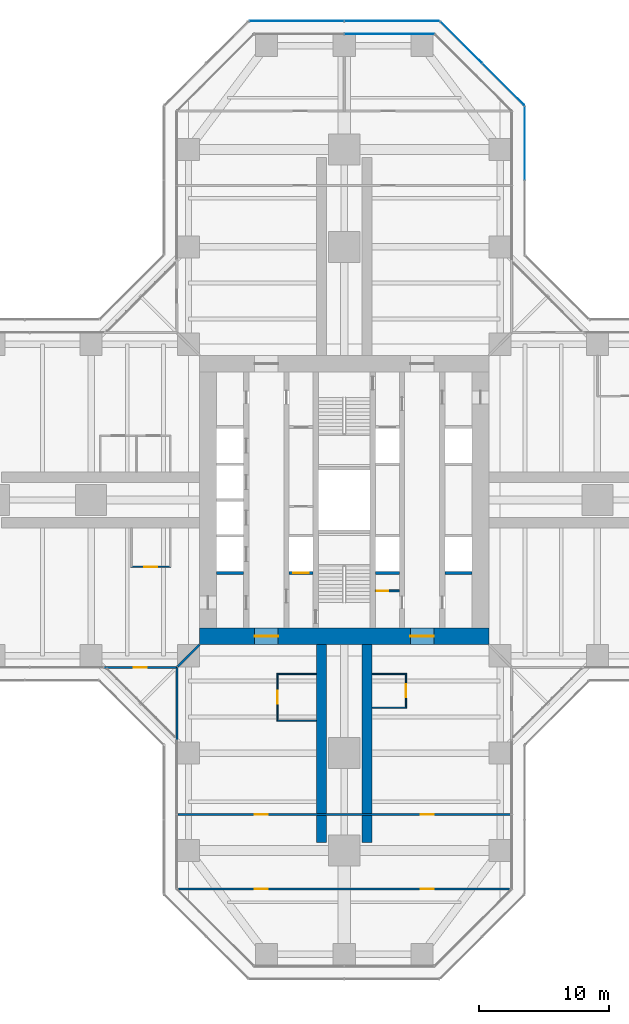
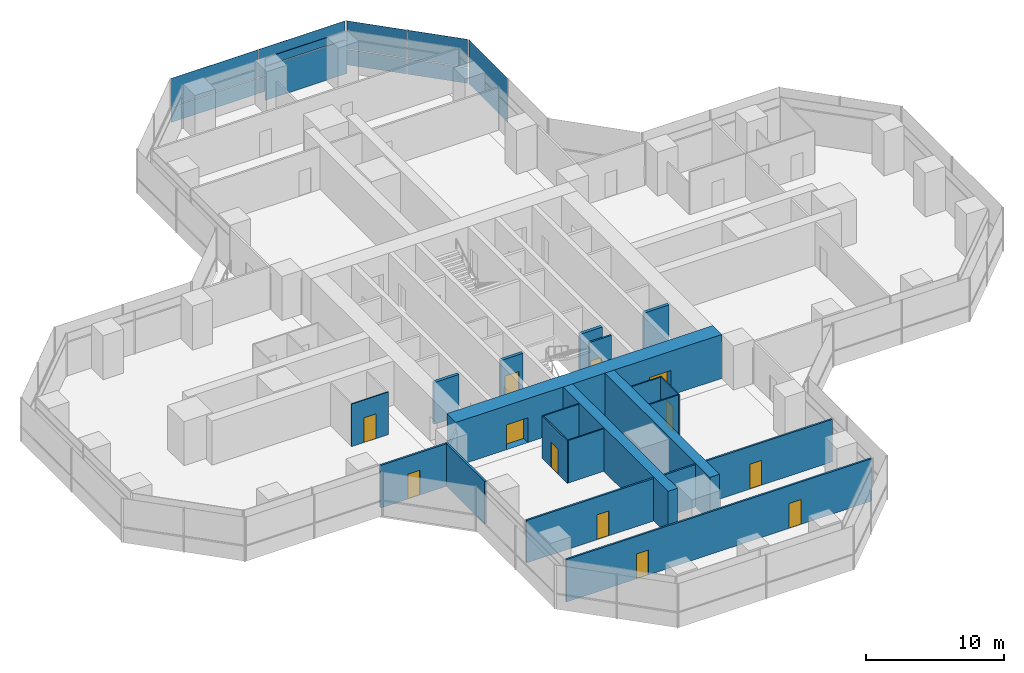
# One storey, part 17 of 22: 20 walls, 12 doors, 12 plates, 12 openings, 4 elements without a shape of their own.
"""IFC4 building model written with IfcOpenShell, lengths in metres."""

from ifc_helpers import new_model, si_unit, direction, frame, frame_2d, origin, origin_2d, place, context, subcontext, project, spatial, rectangle, extrude, material, layer, layer_set, type_object, element, fill, aggregate, save


model = new_model("IFC4")

# Units and contexts
model_context = context("Model", 3, precision=1e-05, world=origin(), true_north=direction((0.0, 1.0)))
body_context = subcontext(model_context, "Body", "Model", "MODEL_VIEW")
ifc_project = project(units=[si_unit("LENGTHUNIT", "METRE"), si_unit("AREAUNIT", "SQUARE_METRE"), si_unit("VOLUMEUNIT", "CUBIC_METRE"), si_unit("PLANEANGLEUNIT", "RADIAN"), si_unit("MASSUNIT", "GRAM", prefix="KILO")], contexts=[model_context])

# Site, building, storey
site_placement = place(None, origin())
site = spatial("IfcSite", under=ifc_project, at=site_placement, CompositionType="ELEMENT")
building_placement = place(site_placement, origin())
building = spatial("IfcBuilding", under=site, at=building_placement, Name="Mizan Broadcast Tower", CompositionType="ELEMENT")
storey_placement = place(building_placement, frame((0.0, 0.0, 94.199951171875)))
storey = spatial("IfcBuildingStorey", under=building, at=storey_placement, Name="L20", CompositionType="ELEMENT", Elevation=94.199951171875)

# Curtain wall, plates
ifc_material_1 = material(Name="Aluminium framed glazing", Category="aluminium")
curtain_wall_type_1 = type_object("IfcCurtainWallType", Name="INNER SKIN LOW ZONE", PredefinedType="USERDEFINED", material=ifc_material_1)
curtain_wall_1_placement = place(storey_placement, origin())
curtain_wall_1 = element("IfcCurtainWall", 1, at=curtain_wall_1_placement, inside=storey, type_object=curtain_wall_type_1, Name="Inner skin low zone L20 N end", ObjectType="INNER SKIN LOW ZONE", PredefinedType="USERDEFINED")
ifc_material_2 = material(Name="Double glazing, clear low-e", Category="glass")
ifc_layer_1 = layer(ifc_material_2, 0.028076171875)
ifc_layer_set_1 = layer_set([ifc_layer_1], Name="Double glazing, clear low-e")
plate_type_1 = type_object("IfcPlateType", Name="INNER SKIN GLAZING UNIT", PredefinedType="CURTAIN_PANEL", material=ifc_layer_set_1)
plate_1_placement = place(storey_placement, frame((3.46435546875, 35.89990234375, 0.0), z_axis=(0.0, 0.0, 1.0), x_axis=(-1.0, 0.0, 0.0)))
plate_1 = element("IfcPlate", 2, at=plate_1_placement, type_object=plate_type_1, Name="Inner skin low zone L20 N end panel 1.1", PredefinedType="CURTAIN_PANEL", context=body_context, shape_type="SweptSolid", body=[
    extrude(rectangle(XDim=6.86865234375, YDim=0.028076171875, at=origin_2d()), origin(), (0.0, 0.0, 1.0), 3.0),
])
ifc_material_3 = material(Name="Insulated aluminium spandrel panel, pale anodised", Category="aluminium")
ifc_layer_2 = layer(ifc_material_3, 0.050048828125)
ifc_layer_set_2 = layer_set([ifc_layer_2], Name="Insulated aluminium spandrel panel, pale anodised")
plate_type_2 = type_object("IfcPlateType", Name="INNER SKIN SPANDREL PANEL", PredefinedType="CURTAIN_PANEL", material=ifc_layer_set_2)
plate_2_placement = place(storey_placement, frame((3.46435546875, 35.89990234375, 3.06005859375), z_axis=(0.0, 0.0, 1.0), x_axis=(-1.0, 0.0, 0.0)))
plate_2 = element("IfcPlate", 3, at=plate_2_placement, type_object=plate_type_2, Name="Inner skin low zone L20 N end panel 1.2", PredefinedType="CURTAIN_PANEL", context=body_context, shape_type="SweptSolid", body=[
    extrude(rectangle(XDim=6.86865234375, YDim=0.050048828125, at=origin_2d()), origin(), (0.0, 0.0, 1.0), 0.7099609375),
])
aggregate(curtain_wall_1, [plate_1, plate_2])

ifc_material_4 = material(Name="Aluminium framed glazing", Category="aluminium")
curtain_wall_type_2 = type_object("IfcCurtainWallType", Name="OUTER SKIN", PredefinedType="USERDEFINED", material=ifc_material_4)
curtain_wall_2_placement = place(storey_placement, origin())
curtain_wall_2 = element("IfcCurtainWall", 4, at=curtain_wall_2_placement, inside=storey, type_object=curtain_wall_type_2, Name="Outer skin L20 N chamfer", ObjectType="OUTER SKIN", PredefinedType="USERDEFINED")
ifc_material_5 = material(Name="Laminated clear glass", Category="glass")
ifc_layer_3 = layer(ifc_material_5, 0.02001953125)
ifc_layer_set_3 = layer_set([ifc_layer_3], Name="Laminated clear glass")
plate_type_3 = type_object("IfcPlateType", Name="OUTER SKIN CLEAR GLASS", PredefinedType="CURTAIN_PANEL", material=ifc_layer_set_3)
plate_3_placement = place(storey_placement, frame((12.254150390625, 32.018798828125, 0.0), z_axis=(0.0, 0.0, 1.0), x_axis=(-0.707106781187, 0.707106781187, 0.0)))
plate_3 = element("IfcPlate", 5, at=plate_3_placement, type_object=plate_type_3, Name="Outer skin L20 N chamfer panel 1.1", PredefinedType="CURTAIN_PANEL", context=body_context, shape_type="SweptSolid", body=[
    extrude(rectangle(XDim=4.495361328125, YDim=0.02001953125, at=origin_2d()), origin(), (0.0, 0.0, 1.0), 1.3701171875),
])
plate_4_placement = place(storey_placement, frame((12.254150390625, 32.018798828125, 1.43017578125), z_axis=(0.0, 0.0, 1.0), x_axis=(-0.707106781187, 0.707106781187, 0.0)))
plate_4 = element("IfcPlate", 6, at=plate_4_placement, type_object=plate_type_3, Name="Outer skin L20 N chamfer panel 1.2", PredefinedType="CURTAIN_PANEL", context=body_context, shape_type="SweptSolid", body=[
    extrude(rectangle(XDim=4.495361328125, YDim=0.02001953125, at=origin_2d()), origin(), (0.0, 0.0, 1.0), 2.469970703125),
])

curtain_wall_3_placement = place(storey_placement, origin())
curtain_wall_3 = element("IfcCurtainWall", 7, at=curtain_wall_3_placement, inside=storey, type_object=curtain_wall_type_2, Name="Outer skin L20 N end", ObjectType="OUTER SKIN", PredefinedType="USERDEFINED")
plate_5_placement = place(storey_placement, frame((3.66650390625, 36.89990234375, 0.0), z_axis=(0.0, 0.0, 1.0), x_axis=(-1.0, 0.0, 0.0)))
plate_5 = element("IfcPlate", 8, at=plate_5_placement, type_object=plate_type_3, Name="Outer skin L20 N end panel 1.1", PredefinedType="CURTAIN_PANEL", context=body_context, shape_type="SweptSolid", body=[
    extrude(rectangle(XDim=7.252685546875, YDim=0.02001953125, at=origin_2d()), origin(), (0.0, 0.0, 1.0), 1.3701171875),
])
plate_6_placement = place(storey_placement, frame((3.66650390625, 36.89990234375, 1.43017578125), z_axis=(0.0, 0.0, 1.0), x_axis=(-1.0, 0.0, 0.0)))
plate_6 = element("IfcPlate", 9, at=plate_6_placement, type_object=plate_type_3, Name="Outer skin L20 N end panel 1.2", PredefinedType="CURTAIN_PANEL", context=body_context, shape_type="SweptSolid", body=[
    extrude(rectangle(XDim=7.252685546875, YDim=0.02001953125, at=origin_2d()), origin(), (0.0, 0.0, 1.0), 2.469970703125),
])
plate_7_placement = place(storey_placement, frame((-3.66650390625, 36.89990234375, 0.0), z_axis=(0.0, 0.0, 1.0), x_axis=(-1.0, 0.0, 0.0)))
plate_7 = element("IfcPlate", 10, at=plate_7_placement, type_object=plate_type_3, Name="Outer skin L20 N end panel 2.1", PredefinedType="CURTAIN_PANEL", context=body_context, shape_type="SweptSolid", body=[
    extrude(rectangle(XDim=7.252685546875, YDim=0.02001953125, at=origin_2d()), origin(), (0.0, 0.0, 1.0), 1.3701171875),
])
plate_8_placement = place(storey_placement, frame((-3.66650390625, 36.89990234375, 1.43017578125), z_axis=(0.0, 0.0, 1.0), x_axis=(-1.0, 0.0, 0.0)))
plate_8 = element("IfcPlate", 11, at=plate_8_placement, type_object=plate_type_3, Name="Outer skin L20 N end panel 2.2", PredefinedType="CURTAIN_PANEL", context=body_context, shape_type="SweptSolid", body=[
    extrude(rectangle(XDim=7.252685546875, YDim=0.02001953125, at=origin_2d()), origin(), (0.0, 0.0, 1.0), 2.469970703125),
])
aggregate(curtain_wall_3, [plate_5, plate_6, plate_7, plate_8])

curtain_wall_4_placement = place(storey_placement, origin())
curtain_wall_4 = element("IfcCurtainWall", 12, at=curtain_wall_4_placement, inside=storey, type_object=curtain_wall_type_2, Name="Outer skin L20 N side", ObjectType="OUTER SKIN", PredefinedType="USERDEFINED")
ifc_material_6 = material(Name="Perforated aluminium, pale anodised", Category="aluminium")
ifc_layer_4 = layer(ifc_material_6, 0.011962890625)
ifc_layer_set_4 = layer_set([ifc_layer_4], Name="Perforated aluminium, pale anodised")
plate_type_4 = type_object("IfcPlateType", Name="OUTER SKIN PERFORATED SCREEN", PredefinedType="USERDEFINED", material=ifc_layer_set_4)
plate_9_placement = place(storey_placement, frame((13.89990234375, 27.477783203125, 0.0), z_axis=(0.0, 0.0, 1.0), x_axis=(0.0, 1.0, 0.0)))
plate_9 = element("IfcPlate", 13, at=plate_9_placement, type_object=plate_type_4, Name="Outer skin L20 N side panel 2.1", ObjectType="SCREEN", PredefinedType="USERDEFINED", context=body_context, shape_type="SweptSolid", body=[
    extrude(rectangle(XDim=5.6298828125, YDim=0.011962890625, at=origin_2d()), origin(), (0.0, 0.0, 1.0), 1.3701171875),
])
plate_10_placement = place(storey_placement, frame((13.89990234375, 27.477783203125, 1.43017578125), z_axis=(0.0, 0.0, 1.0), x_axis=(0.0, 1.0, 0.0)))
plate_10 = element("IfcPlate", 14, at=plate_10_placement, type_object=plate_type_4, Name="Outer skin L20 N side panel 2.2", ObjectType="SCREEN", PredefinedType="USERDEFINED", context=body_context, shape_type="SweptSolid", body=[
    extrude(rectangle(XDim=5.6298828125, YDim=0.011962890625, at=origin_2d()), origin(), (0.0, 0.0, 1.0), 2.469970703125),
])
aggregate(curtain_wall_4, [plate_9, plate_10])

# Plate
plate_11_placement = place(storey_placement, frame((9.018798828125, 35.254150390625, 0.0), z_axis=(0.0, 0.0, 1.0), x_axis=(-0.707106781187, 0.707106781187, 0.0)))
plate_11 = element("IfcPlate", 15, at=plate_11_placement, type_object=plate_type_4, Name="Outer skin L20 N chamfer panel 2.1", ObjectType="SCREEN", PredefinedType="USERDEFINED", context=body_context, shape_type="SweptSolid", body=[
    extrude(rectangle(XDim=4.495361328125, YDim=0.011962890625, at=origin_2d()), origin(), (0.0, 0.0, 1.0), 1.3701171875),
])

plate_12_placement = place(storey_placement, frame((9.018798828125, 35.254150390625, 1.43017578125), z_axis=(0.0, 0.0, 1.0), x_axis=(-0.707106781187, 0.707106781187, 0.0)))
plate_12 = element("IfcPlate", 16, at=plate_12_placement, type_object=plate_type_4, Name="Outer skin L20 N chamfer panel 2.2", ObjectType="SCREEN", PredefinedType="USERDEFINED", context=body_context, shape_type="SweptSolid", body=[
    extrude(rectangle(XDim=4.495361328125, YDim=0.011962890625, at=origin_2d()), origin(), (0.0, 0.0, 1.0), 2.469970703125),
])

aggregate(curtain_wall_2, [plate_3, plate_4, plate_11, plate_12])

# Wall, opening, door
ifc_material_7 = material(Name="Concrete blockwork", Category="masonry")
ifc_layer_5 = layer(ifc_material_7, 0.14990234375)
ifc_layer_set_5 = layer_set([ifc_layer_5], Name="Concrete blockwork")
wall_type_1 = type_object("IfcWallType", Name="CORE PARTITION 150", PredefinedType="SOLIDWALL", material=ifc_layer_set_5)
wall_1_placement = place(storey_placement, frame((2.39990234375, -7.0, 0.0), z_axis=(0.0, 0.0, 1.0), x_axis=(1.0, 0.0, 0.0)))
wall_1 = element("IfcWall", 17, at=wall_1_placement, inside=storey, type_object=wall_type_1, Name="Core partition CORE/XPC", PredefinedType="SOLIDWALL", context=body_context, shape_type="SweptSolid", body=[
    extrude(rectangle(XDim=1.85009765625, YDim=0.14990234375, at=frame_2d((0.925048828125, 0.0))), origin(), (0.0, 0.0, 1.0), 3.77001953125),
])
opening_1_placement = place(wall_1_placement, frame((0.10009765625, 0.0, 0.0)))
opening_1 = element("IfcOpeningElement", 18, at=opening_1_placement, cuts=wall_1, Name="Opening D09F", PredefinedType="OPENING", context=body_context, shape_type="SweptSolid", body=[
    extrude(rectangle(XDim=0.89990234375, YDim=2.10009765625, at=frame_2d((0.449951171875, 1.050048828125))), frame((0.0, 0.0849609375, 0.0), z_axis=(0.0, -1.0, 0.0), x_axis=(1.0, 0.0, 0.0)), (0.0, 0.0, 1.0), 0.169921875),
])
ifc_material_8 = material(Name="Steel door leaf in steel frame", Category="steel")
door_type_1 = type_object("IfcDoorType", Name="CORE ROOM DOOR 900 FD90", OperationType="SINGLE_SWING_LEFT", PredefinedType="DOOR", material=ifc_material_8)
door_1_placement = place(opening_1_placement, origin())
door_1 = element("IfcDoor", 19, at=door_1_placement, inside=storey, type_object=door_type_1, Name="Waste store door", OperationType="SINGLE_SWING_LEFT", OverallHeight=2.10009765625, OverallWidth=0.89990234375, PredefinedType="DOOR", context=body_context, shape_type="SweptSolid", body=[
    extrude(rectangle(XDim=0.89990234375, YDim=2.10009765625, at=frame_2d((0.449951171875, 1.050048828125))), frame((0.0, 0.02490234375, 0.0), z_axis=(0.0, -1.0, 0.0), x_axis=(1.0, 0.0, 0.0)), (0.0, 0.0, 1.0), 0.050048828125),
])
fill(opening_1, door_1)

# Wall, openings, doors
ifc_material_9 = material(Name="Concrete C70/85", Category="concrete")
ifc_layer_6 = layer(ifc_material_9, 1.300048828125)
ifc_layer_set_6 = layer_set([ifc_layer_6], Name="Concrete C70/85")
wall_type_2 = type_object("IfcWallType", Name="CORE WALL 1300", PredefinedType="SHEAR", material=ifc_layer_set_6)
wall_2_placement = place(storey_placement, frame((11.14990234375, -10.5, 0.0), z_axis=(0.0, 0.0, 1.0), x_axis=(-1.0, 0.0, 0.0)))
wall_2 = element("IfcWall", 20, at=wall_2_placement, inside=storey, type_object=wall_type_2, Name="Core wall S L20", PredefinedType="SHEAR", context=body_context, shape_type="SweptSolid", body=[
    extrude(rectangle(XDim=22.2998046875, YDim=1.300048828125, at=frame_2d((11.14990234375, 0.0))), origin(), (0.0, 0.0, 1.0), 3.900146484375),
])
opening_2_placement = place(wall_2_placement, frame((16.25, 0.0, 0.0)))
opening_2 = element("IfcOpeningElement", 21, at=opening_2_placement, cuts=wall_2, Name="Opening D18F", PredefinedType="OPENING", context=body_context, shape_type="SweptSolid", body=[
    extrude(rectangle(XDim=1.800048828125, YDim=2.199951171875, at=frame_2d((0.89990234375, 1.10009765625))), frame((0.0, 0.659912109375, 0.0), z_axis=(0.0, -1.0, 0.0), x_axis=(1.0, 0.0, 0.0)), (0.0, 0.0, 1.0), 1.320068359375),
])
opening_3_placement = place(wall_2_placement, frame((4.25, 0.0, 0.0)))
opening_3 = element("IfcOpeningElement", 22, at=opening_3_placement, cuts=wall_2, Name="Opening D18F", PredefinedType="OPENING", context=body_context, shape_type="SweptSolid", body=[
    extrude(rectangle(XDim=1.800048828125, YDim=2.199951171875, at=frame_2d((0.89990234375, 1.10009765625))), frame((0.0, 0.659912109375, 0.0), z_axis=(0.0, -1.0, 0.0), x_axis=(1.0, 0.0, 0.0)), (0.0, 0.0, 1.0), 1.320068359375),
])
ifc_material_10 = material(Name="Steel door leaf in steel frame", Category="steel")
door_type_2 = type_object("IfcDoorType", Name="LOBBY DOUBLE DOOR 1800 FD90", OperationType="DOUBLE_DOOR_DOUBLE_SWING", PredefinedType="DOOR", material=ifc_material_10)
door_2_placement = place(opening_2_placement, origin())
door_2 = element("IfcDoor", 23, at=door_2_placement, inside=storey, type_object=door_type_2, Name="West lift lobby south door", OperationType="DOUBLE_DOOR_DOUBLE_SWING", OverallHeight=2.199951171875, OverallWidth=1.800048828125, PredefinedType="DOOR", context=body_context, shape_type="SweptSolid", body=[
    extrude(rectangle(XDim=1.800048828125, YDim=2.199951171875, at=frame_2d((0.89990234375, 1.10009765625))), frame((0.0, 0.02490234375, 0.0), z_axis=(0.0, -1.0, 0.0), x_axis=(1.0, 0.0, 0.0)), (0.0, 0.0, 1.0), 0.050048828125),
])
fill(opening_2, door_2)
door_3_placement = place(opening_3_placement, origin())
door_3 = element("IfcDoor", 24, at=door_3_placement, inside=storey, type_object=door_type_2, Name="East lift lobby south door", OperationType="DOUBLE_DOOR_DOUBLE_SWING", OverallHeight=2.199951171875, OverallWidth=1.800048828125, PredefinedType="DOOR", context=body_context, shape_type="SweptSolid", body=[
    extrude(rectangle(XDim=1.800048828125, YDim=2.199951171875, at=frame_2d((0.89990234375, 1.10009765625))), frame((0.0, 0.02490234375, 0.0), z_axis=(0.0, -1.0, 0.0), x_axis=(1.0, 0.0, 0.0)), (0.0, 0.0, 1.0), 0.050048828125),
])
fill(opening_3, door_3)

# Wall, opening, door
ifc_material_11 = material(Name="Aluminium framed glazed screen", Category="aluminium")
ifc_layer_7 = layer(ifc_material_11, 0.159912109375)
ifc_layer_set_7 = layer_set([ifc_layer_7], Name="Aluminium framed glazed screen")
wall_type_3 = type_object("IfcWallType", Name="GLAZED SCREEN WALL 160", PredefinedType="SOLIDWALL", material=ifc_layer_set_7)
wall_3_placement = place(storey_placement, frame((-18.5, -12.89990234375, 0.0), z_axis=(0.0, 0.0, 1.0), x_axis=(1.0, 0.0, 0.0)))
wall_3 = element("IfcWall", 25, at=wall_3_placement, inside=storey, type_object=wall_type_3, Name="Winter garden screen L20 W", PredefinedType="SOLIDWALL", context=body_context, shape_type="SweptSolid", body=[
    extrude(rectangle(XDim=5.60009765625, YDim=0.159912109375, at=frame_2d((2.800048828125, 0.0))), origin(), (0.0, 0.0, 1.0), 3.77001953125),
])
opening_4_placement = place(wall_3_placement, frame((2.300048828125, 0.0, 0.0)))
opening_4 = element("IfcOpeningElement", 26, at=opening_4_placement, cuts=wall_3, Name="Opening WGD", PredefinedType="OPENING", context=body_context, shape_type="SweptSolid", body=[
    extrude(rectangle(XDim=1.0, YDim=2.199951171875, at=frame_2d((0.5, 1.10009765625))), frame((0.0, 0.08984375, 0.0), z_axis=(0.0, -1.0, 0.0), x_axis=(1.0, 0.0, 0.0)), (0.0, 0.0, 1.0), 0.179931640625),
])
ifc_material_12 = material(Name="Aluminium framed glazed door", Category="aluminium")
door_type_3 = type_object("IfcDoorType", Name="WINTER GARDEN DOOR 1000 GLAZED", OperationType="SINGLE_SWING_LEFT", PredefinedType="DOOR", material=ifc_material_12)
door_4_placement = place(opening_4_placement, origin())
door_4 = element("IfcDoor", 27, at=door_4_placement, inside=storey, type_object=door_type_3, Name="Winter garden door L20 W", OperationType="SINGLE_SWING_RIGHT", OverallHeight=2.199951171875, OverallWidth=1.0, PredefinedType="DOOR", context=body_context, shape_type="SweptSolid", body=[
    extrude(rectangle(XDim=1.0, YDim=2.199951171875, at=frame_2d((0.5, 1.10009765625))), frame((0.0, 0.02490234375, 0.0), z_axis=(0.0, -1.0, 0.0), x_axis=(1.0, 0.0, 0.0)), (0.0, 0.0, 1.0), 0.050048828125),
])
fill(opening_4, door_4)

# Walls
wall_4_placement = place(storey_placement, frame((-12.89990234375, -12.89990234375, 0.0), z_axis=(0.0, 0.0, 1.0), x_axis=(0.0, -1.0, 0.0)))
element("IfcWall", 28, at=wall_4_placement, inside=storey, type_object=wall_type_3, Name="Winter garden screen L20 S", PredefinedType="SOLIDWALL", context=body_context, shape_type="SweptSolid", body=[
    extrude(rectangle(XDim=5.60009765625, YDim=0.159912109375, at=frame_2d((2.800048828125, 0.0))), origin(), (0.0, 0.0, 1.0), 3.77001953125),
])
ifc_material_13 = material(Name="Concrete blockwork", Category="masonry")
ifc_layer_8 = layer(ifc_material_13, 0.25)
ifc_layer_set_8 = layer_set([ifc_layer_8], Name="Concrete blockwork")
wall_type_4 = type_object("IfcWallType", Name="LOBBY ENCLOSURE WALL 250", PredefinedType="SOLIDWALL", material=ifc_layer_set_8)
wall_5_placement = place(storey_placement, frame((-9.85009765625, -5.625, 0.0), z_axis=(0.0, 0.0, 1.0), x_axis=(1.0, 0.0, 0.0)))
element("IfcWall", 29, at=wall_5_placement, inside=storey, type_object=wall_type_4, Name="Lobby enclosure wall CORE/BW1S", PredefinedType="SOLIDWALL", context=body_context, shape_type="SweptSolid", body=[
    extrude(rectangle(XDim=2.10009765625, YDim=0.25, at=frame_2d((1.050048828125, 0.0))), origin(), (0.0, 0.0, 1.0), 3.699951171875),
])

# Wall, opening, door
wall_6_placement = place(storey_placement, frame((-4.25, -5.625, 0.0), z_axis=(0.0, 0.0, 1.0), x_axis=(1.0, 0.0, 0.0)))
wall_6 = element("IfcWall", 30, at=wall_6_placement, inside=storey, type_object=wall_type_4, Name="Lobby enclosure wall CORE/BW2S", PredefinedType="SOLIDWALL", context=body_context, shape_type="SweptSolid", body=[
    extrude(rectangle(XDim=1.85009765625, YDim=0.25, at=frame_2d((0.925048828125, 0.0))), origin(), (0.0, 0.0, 1.0), 3.699951171875),
])
opening_5_placement = place(wall_6_placement, frame((0.324951171875, 0.0, 0.0)))
opening_5 = element("IfcOpeningElement", 31, at=opening_5_placement, cuts=wall_6, Name="Opening LDF", PredefinedType="OPENING", context=body_context, shape_type="SweptSolid", body=[
    extrude(rectangle(XDim=1.199951171875, YDim=2.199951171875, at=frame_2d((0.60009765625, 1.10009765625))), frame((0.0, 0.135009765625, 0.0), z_axis=(0.0, -1.0, 0.0), x_axis=(1.0, 0.0, 0.0)), (0.0, 0.0, 1.0), 0.27001953125),
])
ifc_material_14 = material(Name="Steel door leaf in steel frame", Category="steel")
door_type_4 = type_object("IfcDoorType", Name="FIREFIGHTING LIFT LANDING DOOR 1200", OperationType="SLIDING_TO_LEFT", PredefinedType="DOOR", material=ifc_material_14)
door_5_placement = place(opening_5_placement, origin())
door_5 = element("IfcDoor", 32, at=door_5_placement, inside=storey, type_object=door_type_4, Name="Landing door FF1", OperationType="SLIDING_TO_LEFT", OverallHeight=2.199951171875, OverallWidth=1.199951171875, PredefinedType="DOOR", context=body_context, shape_type="SweptSolid", body=[
    extrude(rectangle(XDim=1.199951171875, YDim=2.199951171875, at=frame_2d((0.60009765625, 1.10009765625))), frame((0.0, 0.02490234375, 0.0), z_axis=(0.0, -1.0, 0.0), x_axis=(1.0, 0.0, 0.0)), (0.0, 0.0, 1.0), 0.050048828125),
])
fill(opening_5, door_5)

# Walls
wall_7_placement = place(storey_placement, frame((2.39990234375, -5.625, 0.0), z_axis=(0.0, 0.0, 1.0), x_axis=(1.0, 0.0, 0.0)))
element("IfcWall", 33, at=wall_7_placement, inside=storey, type_object=wall_type_4, Name="Lobby enclosure wall CORE/BE2S", PredefinedType="SOLIDWALL", context=body_context, shape_type="SweptSolid", body=[
    extrude(rectangle(XDim=1.85009765625, YDim=0.25, at=frame_2d((0.925048828125, 0.0))), origin(), (0.0, 0.0, 1.0), 3.699951171875),
])
wall_8_placement = place(storey_placement, frame((7.75, -5.625, 0.0), z_axis=(0.0, 0.0, 1.0), x_axis=(1.0, 0.0, 0.0)))
element("IfcWall", 34, at=wall_8_placement, inside=storey, type_object=wall_type_4, Name="Lobby enclosure wall CORE/BE1S", PredefinedType="SOLIDWALL", context=body_context, shape_type="SweptSolid", body=[
    extrude(rectangle(XDim=2.10009765625, YDim=0.25, at=frame_2d((1.050048828125, 0.0))), origin(), (0.0, 0.0, 1.0), 3.699951171875),
])

# Wall, openings, doors
ifc_material_15 = material(Name="Gypsum board on steel studs", Category="steel")
ifc_layer_9 = layer(ifc_material_15, 0.14990234375)
ifc_layer_set_9 = layer_set([ifc_layer_9], Name="Gypsum board on steel studs")
wall_type_5 = type_object("IfcWallType", Name="PARTITION 150", PredefinedType="PARTITIONING", material=ifc_layer_set_9)
wall_9_placement = place(storey_placement, frame((-12.820068359375, -24.22900390625, 0.0), z_axis=(0.0, 0.0, 1.0), x_axis=(1.0, 0.0, 0.0)))
wall_9 = element("IfcWall", 35, at=wall_9_placement, inside=storey, type_object=wall_type_5, Name="Partition PT/SX1", PredefinedType="PARTITIONING", context=body_context, shape_type="SweptSolid", body=[
    extrude(rectangle(XDim=25.64013671875, YDim=0.14990234375, at=frame_2d((12.820068359375, 0.0))), origin(), (0.0, 0.0, 1.0), 3.77001953125),
])
opening_6_placement = place(wall_9_placement, frame((18.719970703125, 0.0, 0.0)))
opening_6 = element("IfcOpeningElement", 36, at=opening_6_placement, cuts=wall_9, Name="Opening D10", PredefinedType="OPENING", context=body_context, shape_type="SweptSolid", body=[
    extrude(rectangle(XDim=1.0, YDim=2.199951171875, at=frame_2d((0.5, 1.10009765625))), frame((0.0, 0.0849609375, 0.0), z_axis=(0.0, -1.0, 0.0), x_axis=(1.0, 0.0, 0.0)), (0.0, 0.0, 1.0), 0.169921875),
])
opening_7_placement = place(wall_9_placement, frame((5.919921875, 0.0, 0.0)))
opening_7 = element("IfcOpeningElement", 37, at=opening_7_placement, cuts=wall_9, Name="Opening D10", PredefinedType="OPENING", context=body_context, shape_type="SweptSolid", body=[
    extrude(rectangle(XDim=1.0, YDim=2.199951171875, at=frame_2d((0.5, 1.10009765625))), frame((0.0, 0.0849609375, 0.0), z_axis=(0.0, -1.0, 0.0), x_axis=(1.0, 0.0, 0.0)), (0.0, 0.0, 1.0), 0.169921875),
])
ifc_material_16 = material(Name="Timber door leaf in aluminium frame", Category="wood")
door_type_5 = type_object("IfcDoorType", Name="ROOM DOOR 1000", OperationType="SINGLE_SWING_LEFT", PredefinedType="DOOR", material=ifc_material_16)
door_6_placement = place(opening_6_placement, origin())
door_6 = element("IfcDoor", 38, at=door_6_placement, inside=storey, type_object=door_type_5, Name="Client meeting room door", OperationType="SINGLE_SWING_RIGHT", OverallHeight=2.199951171875, OverallWidth=1.0, PredefinedType="DOOR", context=body_context, shape_type="SweptSolid", body=[
    extrude(rectangle(XDim=1.0, YDim=2.199951171875, at=frame_2d((0.5, 1.10009765625))), frame((0.0, 0.02490234375, 0.0), z_axis=(0.0, -1.0, 0.0), x_axis=(1.0, 0.0, 0.0)), (0.0, 0.0, 1.0), 0.050048828125),
])
fill(opening_6, door_6)
door_7_placement = place(opening_7_placement, origin())
door_7 = element("IfcDoor", 39, at=door_7_placement, inside=storey, type_object=door_type_5, Name="Client meeting room door", OperationType="SINGLE_SWING_LEFT", OverallHeight=2.199951171875, OverallWidth=1.0, PredefinedType="DOOR", context=body_context, shape_type="SweptSolid", body=[
    extrude(rectangle(XDim=1.0, YDim=2.199951171875, at=frame_2d((0.5, 1.10009765625))), frame((0.0, 0.02490234375, 0.0), z_axis=(0.0, -1.0, 0.0), x_axis=(1.0, 0.0, 0.0)), (0.0, 0.0, 1.0), 0.050048828125),
])
fill(opening_7, door_7)

wall_10_placement = place(storey_placement, frame((-12.786376953125, -29.958984375, 0.0), z_axis=(0.0, 0.0, 1.0), x_axis=(1.0, 0.0, 0.0)))
wall_10 = element("IfcWall", 40, at=wall_10_placement, inside=storey, type_object=wall_type_5, Name="Partition PT/SX2", PredefinedType="PARTITIONING", context=body_context, shape_type="SweptSolid", body=[
    extrude(rectangle(XDim=25.57275390625, YDim=0.14990234375, at=frame_2d((12.786376953125, 0.0))), origin(), (0.0, 0.0, 1.0), 3.77001953125),
])
opening_8_placement = place(wall_10_placement, frame((18.6865234375, 0.0, 0.0)))
opening_8 = element("IfcOpeningElement", 41, at=opening_8_placement, cuts=wall_10, Name="Opening D10", PredefinedType="OPENING", context=body_context, shape_type="SweptSolid", body=[
    extrude(rectangle(XDim=1.0, YDim=2.199951171875, at=frame_2d((0.5, 1.10009765625))), frame((0.0, 0.0849609375, 0.0), z_axis=(0.0, -1.0, 0.0), x_axis=(1.0, 0.0, 0.0)), (0.0, 0.0, 1.0), 0.169921875),
])
opening_9_placement = place(wall_10_placement, frame((5.886474609375, 0.0, 0.0)))
opening_9 = element("IfcOpeningElement", 42, at=opening_9_placement, cuts=wall_10, Name="Opening D10", PredefinedType="OPENING", context=body_context, shape_type="SweptSolid", body=[
    extrude(rectangle(XDim=1.0, YDim=2.199951171875, at=frame_2d((0.5, 1.10009765625))), frame((0.0, 0.0849609375, 0.0), z_axis=(0.0, -1.0, 0.0), x_axis=(1.0, 0.0, 0.0)), (0.0, 0.0, 1.0), 0.169921875),
])
door_8_placement = place(opening_8_placement, origin())
door_8 = element("IfcDoor", 43, at=door_8_placement, inside=storey, type_object=door_type_5, Name="Client meeting room door", OperationType="SINGLE_SWING_RIGHT", OverallHeight=2.199951171875, OverallWidth=1.0, PredefinedType="DOOR", context=body_context, shape_type="SweptSolid", body=[
    extrude(rectangle(XDim=1.0, YDim=2.199951171875, at=frame_2d((0.5, 1.10009765625))), frame((0.0, 0.02490234375, 0.0), z_axis=(0.0, -1.0, 0.0), x_axis=(1.0, 0.0, 0.0)), (0.0, 0.0, 1.0), 0.050048828125),
])
fill(opening_8, door_8)
door_9_placement = place(opening_9_placement, origin())
door_9 = element("IfcDoor", 44, at=door_9_placement, inside=storey, type_object=door_type_5, Name="Client meeting room door", OperationType="SINGLE_SWING_LEFT", OverallHeight=2.199951171875, OverallWidth=1.0, PredefinedType="DOOR", context=body_context, shape_type="SweptSolid", body=[
    extrude(rectangle(XDim=1.0, YDim=2.199951171875, at=frame_2d((0.5, 1.10009765625))), frame((0.0, 0.02490234375, 0.0), z_axis=(0.0, -1.0, 0.0), x_axis=(1.0, 0.0, 0.0)), (0.0, 0.0, 1.0), 0.050048828125),
])
fill(opening_9, door_9)

# Wall
wall_11_placement = place(storey_placement, frame((-11.14990234375, -11.14990234375, 0.0), z_axis=(0.0, 0.0, 1.0), x_axis=(-0.707106781187, -0.707106781187, 0.0)))
element("IfcWall", 45, at=wall_11_placement, inside=storey, type_object=wall_type_5, Name="Partition PT/DGWS", PredefinedType="PARTITIONING", context=body_context, shape_type="SweptSolid", body=[
    extrude(rectangle(XDim=2.362060546875, YDim=0.14990234375, at=frame_2d((1.18115234375, 0.0))), origin(), (0.0, 0.0, 1.0), 3.219970703125),
])

# Wall, opening, door
ifc_material_17 = material(Name="Glazed aluminium partition on aluminium track", Category="aluminium")
ifc_layer_10 = layer(ifc_material_17, 0.10009765625)
ifc_layer_set_10 = layer_set([ifc_layer_10], Name="Glazed aluminium partition on aluminium track")
wall_type_6 = type_object("IfcWallType", Name="PARTITION GLAZED OFFICE FRONT 100", PredefinedType="PARTITIONING", material=ifc_layer_set_10)
wall_12_placement = place(storey_placement, frame((-13.35009765625, -5.14990234375, 0.0), z_axis=(0.0, 0.0, 1.0), x_axis=(-1.0, 0.0, 0.0)))
wall_12 = element("IfcWall", 46, at=wall_12_placement, inside=storey, type_object=wall_type_6, Name="Glazed office front PT/WKP0f", PredefinedType="PARTITIONING", context=body_context, shape_type="SweptSolid", body=[
    extrude(rectangle(XDim=3.099853515625, YDim=0.10009765625, at=frame_2d((1.5498046875, 0.0))), origin(), (0.0, 0.0, 1.0), 3.77001953125),
])
opening_10_placement = place(wall_12_placement, frame((1.050048828125, 0.0, 0.0)))
opening_10 = element("IfcOpeningElement", 47, at=opening_10_placement, cuts=wall_12, Name="Opening D10O", PredefinedType="OPENING", context=body_context, shape_type="SweptSolid", body=[
    extrude(rectangle(XDim=1.0, YDim=2.199951171875, at=frame_2d((0.5, 1.10009765625))), frame((0.0, 0.06005859375, 0.0), z_axis=(0.0, -1.0, 0.0), x_axis=(1.0, 0.0, 0.0)), (0.0, 0.0, 1.0), 0.1201171875),
])
ifc_material_18 = material(Name="Timber door leaf in aluminium frame", Category="wood")
door_type_6 = type_object("IfcDoorType", Name="OFFICE DOOR 1000 GLAZED", OperationType="SINGLE_SWING_LEFT", PredefinedType="DOOR", material=ifc_material_18)
door_10_placement = place(opening_10_placement, origin())
door_10 = element("IfcDoor", 48, at=door_10_placement, inside=storey, type_object=door_type_6, Name="Pantry door", OperationType="SINGLE_SWING_LEFT", OverallHeight=2.199951171875, OverallWidth=1.0, PredefinedType="DOOR", context=body_context, shape_type="SweptSolid", body=[
    extrude(rectangle(XDim=1.0, YDim=2.199951171875, at=frame_2d((0.5, 1.10009765625))), frame((0.0, 0.02490234375, 0.0), z_axis=(0.0, -1.0, 0.0), x_axis=(1.0, 0.0, 0.0)), (0.0, 0.0, 1.0), 0.050048828125),
])
fill(opening_10, door_10)

# Walls
for number, where, z_axis, x_axis, name in (
    (49, (2.14990234375, -13.39990234375, 0.0), (0.0, 0.0, 1.0), (1.0, 0.0, 0.0), "Glazed office front PT/SKP0a"),
    (50, (2.14990234375, -16.0, 0.0), (0.0, 0.0, 1.0), (1.0, 0.0, 0.0), "Glazed office front PT/SKP0b"),
):
    element("IfcWall", number, at=place(storey_placement, frame(where, z_axis=z_axis, x_axis=x_axis)), inside=storey, type_object=wall_type_6, Name=name, PredefinedType="PARTITIONING", context=body_context, shape_type="SweptSolid", body=[
        extrude(rectangle(XDim=2.60009765625, YDim=0.10009765625, at=frame_2d((1.300048828125, 0.0))), origin(), (0.0, 0.0, 1.0), 3.77001953125),
    ])

# Wall, opening, door
wall_13_placement = place(storey_placement, frame((4.75, -13.35009765625, 0.0), z_axis=(0.0, 0.0, 1.0), x_axis=(0.0, -1.0, 0.0)))
wall_13 = element("IfcWall", 51, at=wall_13_placement, inside=storey, type_object=wall_type_6, Name="Glazed office front PT/SKP0f", PredefinedType="PARTITIONING", context=body_context, shape_type="SweptSolid", body=[
    extrude(rectangle(XDim=2.699951171875, YDim=0.10009765625, at=frame_2d((1.35009765625, 0.0))), origin(), (0.0, 0.0, 1.0), 3.77001953125),
])
opening_11_placement = place(wall_13_placement, frame((0.85009765625, 0.0, 0.0)))
opening_11 = element("IfcOpeningElement", 52, at=opening_11_placement, cuts=wall_13, Name="Opening D10O", PredefinedType="OPENING", context=body_context, shape_type="SweptSolid", body=[
    extrude(rectangle(XDim=1.0, YDim=2.199951171875, at=frame_2d((0.5, 1.10009765625))), frame((0.0, 0.06005859375, 0.0), z_axis=(0.0, -1.0, 0.0), x_axis=(1.0, 0.0, 0.0)), (0.0, 0.0, 1.0), 0.1201171875),
])
door_11_placement = place(opening_11_placement, origin())
door_11 = element("IfcDoor", 53, at=door_11_placement, inside=storey, type_object=door_type_6, Name="Client cloakroom door", OperationType="SINGLE_SWING_LEFT", OverallHeight=2.199951171875, OverallWidth=1.0, PredefinedType="DOOR", context=body_context, shape_type="SweptSolid", body=[
    extrude(rectangle(XDim=1.0, YDim=2.199951171875, at=frame_2d((0.5, 1.10009765625))), frame((0.0, 0.02490234375, 0.0), z_axis=(0.0, -1.0, 0.0), x_axis=(1.0, 0.0, 0.0)), (0.0, 0.0, 1.0), 0.050048828125),
])
fill(opening_11, door_11)

# Walls
for number, where, z_axis, x_axis, name in (
    (54, (-2.14990234375, -13.39990234375, 0.0), (0.0, 0.0, 1.0), (-1.0, 0.0, 0.0), "Glazed office front PT/SKN0a"),
    (55, (-2.14990234375, -17.0, 0.0), (0.0, 0.0, 1.0), (-1.0, 0.0, 0.0), "Glazed office front PT/SKN0b"),
):
    element("IfcWall", number, at=place(storey_placement, frame(where, z_axis=z_axis, x_axis=x_axis)), inside=storey, type_object=wall_type_6, Name=name, PredefinedType="PARTITIONING", context=body_context, shape_type="SweptSolid", body=[
        extrude(rectangle(XDim=3.0, YDim=0.10009765625, at=frame_2d((1.5, 0.0))), origin(), (0.0, 0.0, 1.0), 3.77001953125),
    ])

# Wall, opening, door
wall_14_placement = place(storey_placement, frame((-5.14990234375, -13.35009765625, 0.0), z_axis=(0.0, 0.0, 1.0), x_axis=(0.0, -1.0, 0.0)))
wall_14 = element("IfcWall", 56, at=wall_14_placement, inside=storey, type_object=wall_type_6, Name="Glazed office front PT/SKN0f", PredefinedType="PARTITIONING", context=body_context, shape_type="SweptSolid", body=[
    extrude(rectangle(XDim=3.699951171875, YDim=0.10009765625, at=frame_2d((1.85009765625, 0.0))), origin(), (0.0, 0.0, 1.0), 3.77001953125),
])
opening_12_placement = place(wall_14_placement, frame((1.35009765625, 0.0, 0.0)))
opening_12 = element("IfcOpeningElement", 57, at=opening_12_placement, cuts=wall_14, Name="Opening D10O", PredefinedType="OPENING", context=body_context, shape_type="SweptSolid", body=[
    extrude(rectangle(XDim=1.0, YDim=2.199951171875, at=frame_2d((0.5, 1.10009765625))), frame((0.0, 0.06005859375, 0.0), z_axis=(0.0, -1.0, 0.0), x_axis=(1.0, 0.0, 0.0)), (0.0, 0.0, 1.0), 0.1201171875),
])
door_12_placement = place(opening_12_placement, origin())
door_12 = element("IfcDoor", 58, at=door_12_placement, inside=storey, type_object=door_type_6, Name="Client pantry door", OperationType="SINGLE_SWING_LEFT", OverallHeight=2.199951171875, OverallWidth=1.0, PredefinedType="DOOR", context=body_context, shape_type="SweptSolid", body=[
    extrude(rectangle(XDim=1.0, YDim=2.199951171875, at=frame_2d((0.5, 1.10009765625))), frame((0.0, 0.02490234375, 0.0), z_axis=(0.0, -1.0, 0.0), x_axis=(1.0, 0.0, 0.0)), (0.0, 0.0, 1.0), 0.050048828125),
])
fill(opening_12, door_12)

# Walls
ifc_material_19 = material(Name="Concrete C70/85", Category="concrete")
ifc_layer_11 = layer(ifc_material_19, 0.800048828125)
ifc_layer_set_11 = layer_set([ifc_layer_11], Name="Concrete C70/85")
wall_type_7 = type_object("IfcWallType", Name="SPINE WALL 800", PredefinedType="SHEAR", material=ifc_layer_set_11)
for number, where, z_axis, x_axis, name in (
    (59, (-1.75, -11.14990234375, 0.0), (0.0, 0.0, 1.0), (0.0, -1.0, 0.0), "Spine wall SR L20"),
    (60, (1.75, -11.14990234375, 0.0), (0.0, 0.0, 1.0), (0.0, -1.0, 0.0), "Spine wall SL L20"),
):
    element("IfcWall", number, at=place(storey_placement, frame(where, z_axis=z_axis, x_axis=x_axis)), inside=storey, type_object=wall_type_7, Name=name, PredefinedType="SHEAR", context=body_context, shape_type="SweptSolid", body=[
        extrude(rectangle(XDim=15.25, YDim=0.800048828125, at=frame_2d((7.625, 0.0))), origin(), (0.0, 0.0, 1.0), 3.900146484375),
    ])

save(model, "model.ifc")
